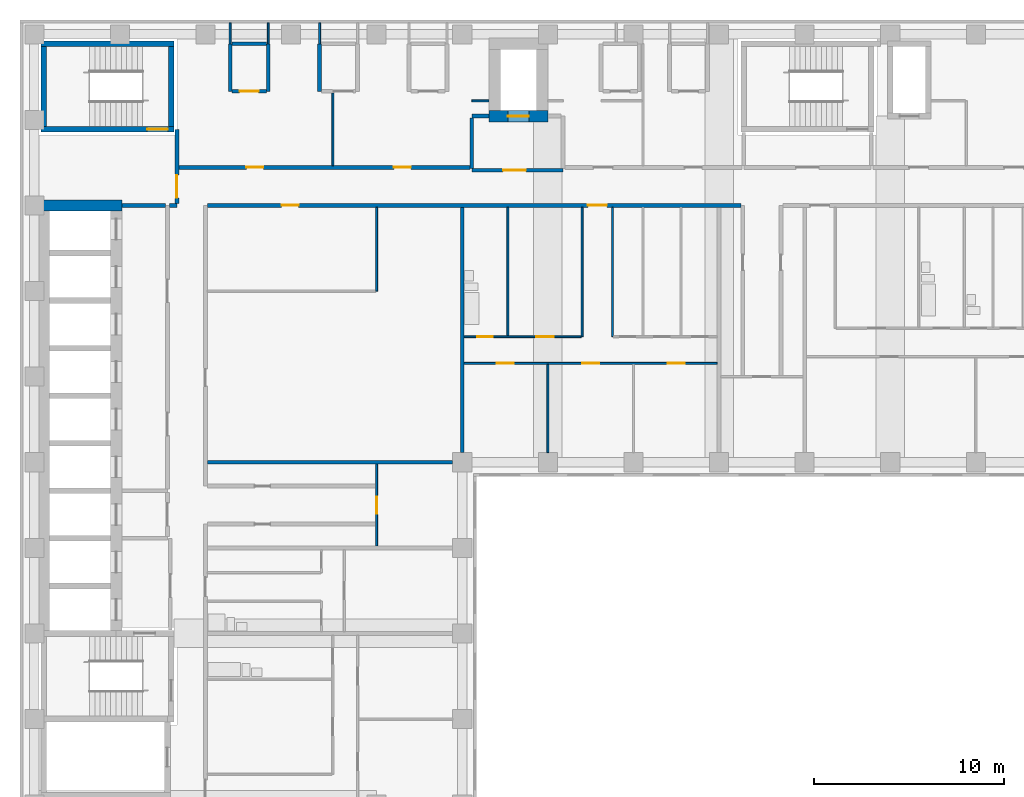
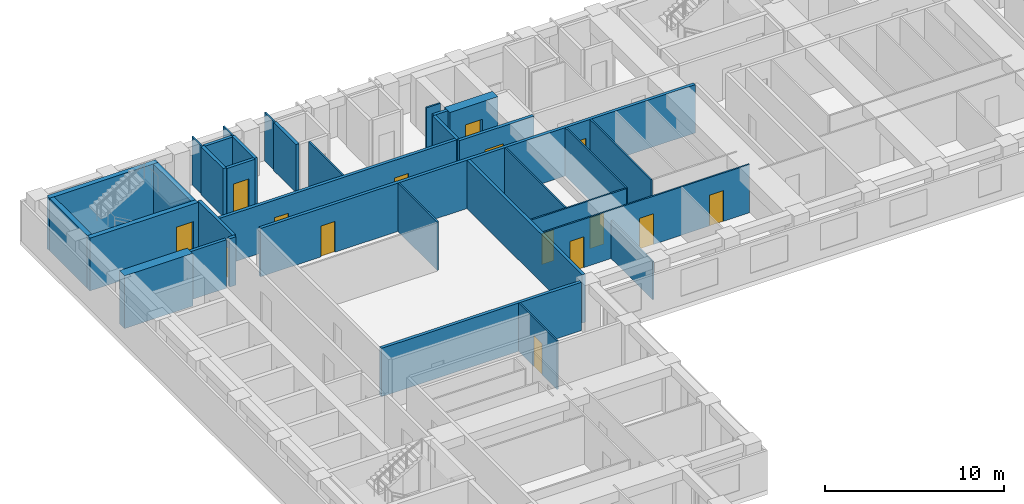
# One storey, part 5 of 11: 34 walls, 15 doors, 15 openings.
"""IFC4 building model written with IfcOpenShell, lengths in metres."""

from ifc_helpers import new_model, si_unit, direction, frame, frame_2d, origin, place, context, subcontext, project, spatial, rectangle, extrude, material, layer, layer_set, type_object, element, fill, save


model = new_model("IFC4")

# Units and contexts
model_context = context("Model", 3, precision=1e-05, world=origin(), true_north=direction((0.0, 1.0)))
body_context = subcontext(model_context, "Body", "Model", "MODEL_VIEW")
ifc_project = project(units=[si_unit("LENGTHUNIT", "METRE"), si_unit("AREAUNIT", "SQUARE_METRE"), si_unit("VOLUMEUNIT", "CUBIC_METRE"), si_unit("PLANEANGLEUNIT", "RADIAN"), si_unit("MASSUNIT", "GRAM", prefix="KILO")], contexts=[model_context])

# Site, building, storey
site_placement = place(None, origin())
site = spatial("IfcSite", under=ifc_project, at=site_placement, CompositionType="ELEMENT")
building_placement = place(site_placement, origin())
building = spatial("IfcBuilding", under=site, at=building_placement, Name="Firuza Court", CompositionType="ELEMENT")
storey_placement = place(building_placement, frame((0.0, 0.0, 134.0)))
storey = spatial("IfcBuildingStorey", under=building, at=storey_placement, Name="L33", CompositionType="ELEMENT", Elevation=134.0)

# Wall
ifc_material_1 = material(Name="Moisture-resistant gypsum board partition")
ifc_layer_1 = layer(ifc_material_1, 0.10009765625)
ifc_layer_set_1 = layer_set([ifc_layer_1], Name="Moisture-resistant gypsum board partition")
wall_type_1 = type_object("IfcWallType", Name="Bathroom partition 100", PredefinedType="PLUMBINGWALL", material=ifc_layer_set_1)
wall_1_placement = place(storey_placement, frame((24.89990234375, 42.64990234375, 0.0), z_axis=(0.0, 0.0, 1.0), x_axis=(0.0, 1.0, 0.0)))
element("IfcWall", 1, at=wall_1_placement, inside=storey, type_object=wall_type_1, Name="Bathroom partition 100 L33", PredefinedType="PLUMBINGWALL", context=body_context, shape_type="SweptSolid", body=[
    extrude(rectangle(XDim=6.75, YDim=0.10009765625, at=frame_2d((3.375, 0.0))), origin(), (0.0, 0.0, 1.0), 3.300048828125),
])

# Wall, opening, door
ifc_material_2 = material(Name="Concrete C60/75", Category="concrete")
ifc_layer_2 = layer(ifc_material_2, 0.300048828125)
ifc_layer_set_2 = layer_set([ifc_layer_2], Name="Concrete C60/75")
wall_type_2 = type_object("IfcWallType", Name="Core wall 300 C60/75", PredefinedType="SHEAR", material=ifc_layer_set_2)
wall_2_placement = place(storey_placement, frame((0.35009765625, 53.5, -0.300048828125), z_axis=(0.0, 0.0, 1.0), x_axis=(1.0, 0.0, 0.0)))
wall_2 = element("IfcWall", 2, at=wall_2_placement, inside=storey, type_object=wall_type_2, Name="Core wall stair L33", PredefinedType="SHEAR", context=body_context, shape_type="SweptSolid", body=[
    extrude(rectangle(XDim=7.0, YDim=0.300048828125, at=frame_2d((3.5, 0.0))), origin(), (0.0, 0.0, 1.0), 3.60009765625),
])
opening_1_placement = place(wall_2_placement, frame((5.580078125, 0.0, 0.300048828125)))
opening_1 = element("IfcOpeningElement", 3, at=opening_1_placement, cuts=wall_2, Name="Opening D33015", PredefinedType="OPENING", context=body_context, shape_type="SweptSolid", body=[
    extrude(rectangle(XDim=1.10009765625, YDim=2.10009765625, at=frame_2d((0.550048828125, 1.050048828125))), frame((0.0, 0.162109375, 0.0), z_axis=(0.0, -1.0, 0.0), x_axis=(1.0, 0.0, 0.0)), (0.0, 0.0, 1.0), 0.323974609375),
])
ifc_material_3 = material(Name="Timber door leaf in hardwood frame", Category="wood")
door_type_1 = type_object("IfcDoorType", Name="Stair door 1100", OperationType="SINGLE_SWING_LEFT", PredefinedType="DOOR", material=ifc_material_3)
door_1_placement = place(opening_1_placement, origin())
door_1 = element("IfcDoor", 4, at=door_1_placement, inside=storey, type_object=door_type_1, Name="Stair door S3", OperationType="SINGLE_SWING_RIGHT", OverallHeight=2.10009765625, OverallWidth=1.10009765625, PredefinedType="DOOR", context=body_context, shape_type="SweptSolid", body=[
    extrude(rectangle(XDim=1.10009765625, YDim=2.10009765625, at=frame_2d((0.550048828125, 1.050048828125))), frame((0.0, 0.02490234375, 0.0), z_axis=(0.0, -1.0, 0.0), x_axis=(1.0, 0.0, 0.0)), (0.0, 0.0, 1.0), 0.050048828125),
])
fill(opening_1, door_1)

# Walls
wall_3_placement = place(storey_placement, frame((0.35009765625, 58.0, -0.300048828125), z_axis=(0.0, 0.0, 1.0), x_axis=(1.0, 0.0, 0.0)))
element("IfcWall", 5, at=wall_3_placement, inside=storey, type_object=wall_type_2, Name="Core wall stair L33", PredefinedType="SHEAR", context=body_context, shape_type="SweptSolid", body=[
    extrude(rectangle(XDim=7.0, YDim=0.300048828125, at=frame_2d((3.5, 0.0))), origin(), (0.0, 0.0, 1.0), 3.60009765625),
])
for number, where, z_axis, x_axis, name in (
    (6, (0.5, 53.64990234375, -0.300048828125), (0.0, 0.0, 1.0), (0.0, 1.0, 0.0), "Core wall stair L33"),
    (7, (7.199951171875, 53.64990234375, -0.300048828125), (0.0, 0.0, 1.0), (0.0, 1.0, 0.0), "Core wall stair L33"),
):
    element("IfcWall", number, at=place(storey_placement, frame(where, z_axis=z_axis, x_axis=x_axis)), inside=storey, type_object=wall_type_2, Name=name, PredefinedType="SHEAR", context=body_context, shape_type="SweptSolid", body=[
        extrude(rectangle(XDim=4.2001953125, YDim=0.300048828125, at=frame_2d((2.10009765625, 0.0))), origin(), (0.0, 0.0, 1.0), 3.60009765625),
    ])
ifc_layer_3 = layer(ifc_material_2, 0.60009765625)
ifc_layer_set_3 = layer_set([ifc_layer_3], Name="Concrete C60/75")
wall_type_3 = type_object("IfcWallType", Name="Core wall 600 C60/75", PredefinedType="SHEAR", material=ifc_layer_set_3)
wall_4_placement = place(storey_placement, frame((0.199951171875, 49.5, -0.300048828125), z_axis=(0.0, 0.0, 1.0), x_axis=(1.0, 0.0, 0.0)))
element("IfcWall", 8, at=wall_4_placement, inside=storey, type_object=wall_type_3, Name="Core wall lift shaft L33", PredefinedType="SHEAR", context=body_context, shape_type="SweptSolid", body=[
    extrude(rectangle(XDim=4.400146484375, YDim=0.60009765625, at=frame_2d((2.2001953125, 0.0))), origin(), (0.0, 0.0, 1.0), 3.60009765625),
])

# Wall, opening, door
wall_5_placement = place(storey_placement, frame((23.89990234375, 54.199951171875, -0.300048828125), z_axis=(0.0, 0.0, 1.0), x_axis=(1.0, 0.0, 0.0)))
wall_5 = element("IfcWall", 9, at=wall_5_placement, inside=storey, type_object=wall_type_3, Name="Core wall lift shaft L33", PredefinedType="SHEAR", context=body_context, shape_type="SweptSolid", body=[
    extrude(rectangle(XDim=3.10009765625, YDim=0.60009765625, at=frame_2d((1.550048828125, 0.0))), origin(), (0.0, 0.0, 1.0), 3.60009765625),
])
opening_2_placement = place(wall_5_placement, frame((1.0, 0.0, 0.300048828125)))
opening_2 = element("IfcOpeningElement", 10, at=opening_2_placement, cuts=wall_5, Name="Opening LD-FL3-33", PredefinedType="OPENING", context=body_context, shape_type="SweptSolid", body=[
    extrude(rectangle(XDim=1.10009765625, YDim=2.10009765625, at=frame_2d((0.550048828125, 1.050048828125))), frame((0.0, 0.31201171875, 0.0), z_axis=(0.0, -1.0, 0.0), x_axis=(1.0, 0.0, 0.0)), (0.0, 0.0, 1.0), 0.6240234375),
])
ifc_material_4 = material(Name="Stainless steel 1.4301 door leaf", Category="steel")
door_type_2 = type_object("IfcDoorType", Name="Lift landing door 1100", OperationType="SLIDING_TO_LEFT", PredefinedType="DOOR", material=ifc_material_4)
door_2_placement = place(opening_2_placement, origin())
door_2 = element("IfcDoor", 11, at=door_2_placement, inside=storey, type_object=door_type_2, Name="Landing door FL3", OperationType="SLIDING_TO_LEFT", OverallHeight=2.10009765625, OverallWidth=1.10009765625, PredefinedType="DOOR", context=body_context, shape_type="SweptSolid", body=[
    extrude(rectangle(XDim=1.10009765625, YDim=2.10009765625, at=frame_2d((0.550048828125, 1.050048828125))), frame((0.0, 0.02490234375, 0.0), z_axis=(0.0, -1.0, 0.0), x_axis=(1.0, 0.0, 0.0)), (0.0, 0.0, 1.0), 0.050048828125),
])
fill(opening_2, door_2)

# Wall, openings, doors
ifc_material_5 = material(Name="Blockwork, plastered both sides", Category="masonry")
ifc_layer_4 = layer(ifc_material_5, 0.199951171875)
ifc_layer_set_4 = layer_set([ifc_layer_4], Name="Blockwork, plastered both sides")
wall_type_4 = type_object("IfcWallType", Name="Corridor wall 200", PredefinedType="PARTITIONING", material=ifc_layer_set_4)
wall_6_placement = place(storey_placement, frame((9.10009765625, 49.5, 0.0), z_axis=(0.0, 0.0, 1.0), x_axis=(1.0, 0.0, 0.0)))
wall_6 = element("IfcWall", 12, at=wall_6_placement, inside=storey, type_object=wall_type_4, Name="Corridor wall 200 L33", PredefinedType="PARTITIONING", context=body_context, shape_type="SweptSolid", body=[
    extrude(rectangle(XDim=28.0498046875, YDim=0.199951171875, at=frame_2d((14.02490234375, 0.0))), origin(), (0.0, 0.0, 1.0), 3.300048828125),
])
opening_3_placement = place(wall_6_placement, frame((20.0, 0.0, 0.0)))
opening_3 = element("IfcOpeningElement", 13, at=opening_3_placement, cuts=wall_6, Name="Opening D33064", PredefinedType="OPENING", context=body_context, shape_type="SweptSolid", body=[
    extrude(rectangle(XDim=1.0, YDim=2.10009765625, at=frame_2d((0.5, 1.050048828125))), frame((0.0, 0.11181640625, 0.0), z_axis=(0.0, -1.0, 0.0), x_axis=(1.0, 0.0, 0.0)), (0.0, 0.0, 1.0), 0.223876953125),
])
opening_4_placement = place(wall_6_placement, frame((3.89990234375, 0.0, 0.0)))
opening_4 = element("IfcOpeningElement", 14, at=opening_4_placement, cuts=wall_6, Name="Opening D33065", PredefinedType="OPENING", context=body_context, shape_type="SweptSolid", body=[
    extrude(rectangle(XDim=0.89990234375, YDim=2.10009765625, at=frame_2d((0.449951171875, 1.050048828125))), frame((0.0, 0.11181640625, 0.0), z_axis=(0.0, -1.0, 0.0), x_axis=(1.0, 0.0, 0.0)), (0.0, 0.0, 1.0), 0.223876953125),
])
ifc_material_6 = material(Name="Timber door leaf in hardwood frame", Category="wood")
door_type_3 = type_object("IfcDoorType", Name="Flat entrance door 1000", OperationType="SINGLE_SWING_LEFT", PredefinedType="DOOR", material=ifc_material_6)
door_3_placement = place(opening_3_placement, origin())
door_3 = element("IfcDoor", 15, at=door_3_placement, inside=storey, type_object=door_type_3, Name="Flat entrance door", OperationType="SINGLE_SWING_LEFT", OverallHeight=2.10009765625, OverallWidth=1.0, PredefinedType="DOOR", context=body_context, shape_type="SweptSolid", body=[
    extrude(rectangle(XDim=1.0, YDim=2.10009765625, at=frame_2d((0.5, 1.050048828125))), frame((0.0, 0.02490234375, 0.0), z_axis=(0.0, -1.0, 0.0), x_axis=(1.0, 0.0, 0.0)), (0.0, 0.0, 1.0), 0.050048828125),
])
fill(opening_3, door_3)
ifc_material_7 = material(Name="Timber door leaf in hardwood frame", Category="wood")
door_type_4 = type_object("IfcDoorType", Name="Room door 900 EI 30", OperationType="SINGLE_SWING_LEFT", PredefinedType="DOOR", material=ifc_material_7)
door_4_placement = place(opening_4_placement, frame((0.89990234375, 0.0, 0.0), z_axis=(0.0, 0.0, 1.0), x_axis=(-1.0, 0.0, 0.0)))
door_4 = element("IfcDoor", 16, at=door_4_placement, inside=storey, type_object=door_type_4, Name="Meeting room door", OperationType="SINGLE_SWING_RIGHT", OverallHeight=2.10009765625, OverallWidth=0.89990234375, PredefinedType="DOOR", context=body_context, shape_type="SweptSolid", body=[
    extrude(rectangle(XDim=0.89990234375, YDim=2.10009765625, at=frame_2d((0.449951171875, 1.050048828125))), frame((0.0, 0.02490234375, 0.0), z_axis=(0.0, -1.0, 0.0), x_axis=(1.0, 0.0, 0.0)), (0.0, 0.0, 1.0), 0.050048828125),
])
fill(opening_4, door_4)

wall_7_placement = place(storey_placement, frame((7.60009765625, 51.5, 0.0), z_axis=(0.0, 0.0, 1.0), x_axis=(1.0, 0.0, 0.0)))
wall_7 = element("IfcWall", 17, at=wall_7_placement, inside=storey, type_object=wall_type_4, Name="Corridor wall 200 L33", PredefinedType="PARTITIONING", context=body_context, shape_type="SweptSolid", body=[
    extrude(rectangle(XDim=15.2998046875, YDim=0.199951171875, at=frame_2d((7.64990234375, 0.0))), origin(), (0.0, 0.0, 1.0), 3.300048828125),
])
opening_5_placement = place(wall_7_placement, frame((3.550048828125, 0.0, 0.0)))
opening_5 = element("IfcOpeningElement", 18, at=opening_5_placement, cuts=wall_7, Name="Opening D33068", PredefinedType="OPENING", context=body_context, shape_type="SweptSolid", body=[
    extrude(rectangle(XDim=0.89990234375, YDim=2.10009765625, at=frame_2d((0.449951171875, 1.050048828125))), frame((0.0, 0.11181640625, 0.0), z_axis=(0.0, -1.0, 0.0), x_axis=(1.0, 0.0, 0.0)), (0.0, 0.0, 1.0), 0.223876953125),
])
opening_6_placement = place(wall_7_placement, frame((11.300048828125, 0.0, 0.0)))
opening_6 = element("IfcOpeningElement", 19, at=opening_6_placement, cuts=wall_7, Name="Opening D33069", PredefinedType="OPENING", context=body_context, shape_type="SweptSolid", body=[
    extrude(rectangle(XDim=0.89990234375, YDim=2.10009765625, at=frame_2d((0.449951171875, 1.050048828125))), frame((0.0, 0.11181640625, 0.0), z_axis=(0.0, -1.0, 0.0), x_axis=(1.0, 0.0, 0.0)), (0.0, 0.0, 1.0), 0.223876953125),
])
door_5_placement = place(opening_5_placement, origin())
door_5 = element("IfcDoor", 20, at=door_5_placement, inside=storey, type_object=door_type_4, Name="Meeting room door", OperationType="SINGLE_SWING_LEFT", OverallHeight=2.10009765625, OverallWidth=0.89990234375, PredefinedType="DOOR", context=body_context, shape_type="SweptSolid", body=[
    extrude(rectangle(XDim=0.89990234375, YDim=2.10009765625, at=frame_2d((0.449951171875, 1.050048828125))), frame((0.0, 0.02490234375, 0.0), z_axis=(0.0, -1.0, 0.0), x_axis=(1.0, 0.0, 0.0)), (0.0, 0.0, 1.0), 0.050048828125),
])
fill(opening_5, door_5)
door_6_placement = place(opening_6_placement, origin())
door_6 = element("IfcDoor", 21, at=door_6_placement, inside=storey, type_object=door_type_4, Name="Meeting room door", OperationType="SINGLE_SWING_LEFT", OverallHeight=2.10009765625, OverallWidth=0.89990234375, PredefinedType="DOOR", context=body_context, shape_type="SweptSolid", body=[
    extrude(rectangle(XDim=0.89990234375, YDim=2.10009765625, at=frame_2d((0.449951171875, 1.050048828125))), frame((0.0, 0.02490234375, 0.0), z_axis=(0.0, -1.0, 0.0), x_axis=(1.0, 0.0, 0.0)), (0.0, 0.0, 1.0), 0.050048828125),
])
fill(opening_6, door_6)

# Wall, opening, door
ifc_material_8 = material(Name="Timber stud partition, plasterboard both sides", Category="wood")
ifc_layer_5 = layer(ifc_material_8, 0.10009765625)
ifc_layer_set_5 = layer_set([ifc_layer_5], Name="Timber stud partition, plasterboard both sides")
wall_type_5 = type_object("IfcWallType", Name="Partition wall 100", PredefinedType="PARTITIONING", material=ifc_layer_set_5)
wall_8_placement = place(storey_placement, frame((18.0, 31.60009765625, 0.0), z_axis=(0.0, 0.0, 1.0), x_axis=(0.0, 1.0, 0.0)))
wall_8 = element("IfcWall", 22, at=wall_8_placement, inside=storey, type_object=wall_type_5, Name="Partition wall 100 L33", PredefinedType="PARTITIONING", context=body_context, shape_type="SweptSolid", body=[
    extrude(rectangle(XDim=4.2998046875, YDim=0.10009765625, at=frame_2d((2.14990234375, 0.0))), origin(), (0.0, 0.0, 1.0), 3.300048828125),
])
opening_7_placement = place(wall_8_placement, frame((1.699951171875, 0.0, 0.0)))
opening_7 = element("IfcOpeningElement", 23, at=opening_7_placement, cuts=wall_8, Name="Opening D33034", PredefinedType="OPENING", context=body_context, shape_type="SweptSolid", body=[
    extrude(rectangle(XDim=0.89990234375, YDim=2.10009765625, at=frame_2d((0.449951171875, 1.050048828125))), frame((0.0, 0.06201171875, 0.0), z_axis=(0.0, -1.0, 0.0), x_axis=(1.0, 0.0, 0.0)), (0.0, 0.0, 1.0), 0.1240234375),
])
ifc_material_9 = material(Name="Timber door leaf in hardwood frame", Category="wood")
door_type_5 = type_object("IfcDoorType", Name="Room door 900", OperationType="SINGLE_SWING_LEFT", PredefinedType="DOOR", material=ifc_material_9)
door_7_placement = place(opening_7_placement, origin())
door_7 = element("IfcDoor", 24, at=door_7_placement, inside=storey, type_object=door_type_5, Name="Residents' lounge door", OperationType="SINGLE_SWING_LEFT", OverallHeight=2.10009765625, OverallWidth=0.89990234375, PredefinedType="DOOR", context=body_context, shape_type="SweptSolid", body=[
    extrude(rectangle(XDim=0.89990234375, YDim=2.10009765625, at=frame_2d((0.449951171875, 1.050048828125))), frame((0.0, 0.02490234375, 0.0), z_axis=(0.0, -1.0, 0.0), x_axis=(1.0, 0.0, 0.0)), (0.0, 0.0, 1.0), 0.050048828125),
])
fill(opening_7, door_7)

# Wall
wall_9_placement = place(storey_placement, frame((27.0, 36.5, 0.0), z_axis=(0.0, 0.0, 1.0), x_axis=(0.0, 1.0, 0.0)))
element("IfcWall", 25, at=wall_9_placement, inside=storey, type_object=wall_type_5, Name="Partition wall 100 L33", PredefinedType="PARTITIONING", context=body_context, shape_type="SweptSolid", body=[
    extrude(rectangle(XDim=4.64990234375, YDim=0.10009765625, at=frame_2d((2.324951171875, 0.0))), origin(), (0.0, 0.0, 1.0), 2.60009765625),
])

# Wall, openings, doors
wall_10_placement = place(storey_placement, frame((22.60009765625, 41.199951171875, 0.0), z_axis=(0.0, 0.0, 1.0), x_axis=(1.0, 0.0, 0.0)))
wall_10 = element("IfcWall", 26, at=wall_10_placement, inside=storey, type_object=wall_type_5, Name="Partition wall 100 L33", PredefinedType="PARTITIONING", context=body_context, shape_type="SweptSolid", body=[
    extrude(rectangle(XDim=13.2998046875, YDim=0.10009765625, at=frame_2d((6.64990234375, 0.0))), origin(), (0.0, 0.0, 1.0), 3.300048828125),
])
opening_8_placement = place(wall_10_placement, frame((1.699951171875, 0.0, 0.0)))
opening_8 = element("IfcOpeningElement", 27, at=opening_8_placement, cuts=wall_10, Name="Opening D33045", PredefinedType="OPENING", context=body_context, shape_type="SweptSolid", body=[
    extrude(rectangle(XDim=0.89990234375, YDim=2.10009765625, at=frame_2d((0.449951171875, 1.050048828125))), frame((0.0, 0.06201171875, 0.0), z_axis=(0.0, -1.0, 0.0), x_axis=(1.0, 0.0, 0.0)), (0.0, 0.0, 1.0), 0.1240234375),
])
opening_9_placement = place(wall_10_placement, frame((6.199951171875, 0.0, 0.0)))
opening_9 = element("IfcOpeningElement", 28, at=opening_9_placement, cuts=wall_10, Name="Opening D33046", PredefinedType="OPENING", context=body_context, shape_type="SweptSolid", body=[
    extrude(rectangle(XDim=0.89990234375, YDim=2.10009765625, at=frame_2d((0.449951171875, 1.050048828125))), frame((0.0, 0.06201171875, 0.0), z_axis=(0.0, -1.0, 0.0), x_axis=(1.0, 0.0, 0.0)), (0.0, 0.0, 1.0), 0.1240234375),
])
opening_10_placement = place(wall_10_placement, frame((10.699951171875, 0.0, 0.0)))
opening_10 = element("IfcOpeningElement", 29, at=opening_10_placement, cuts=wall_10, Name="Opening D33047", PredefinedType="OPENING", context=body_context, shape_type="SweptSolid", body=[
    extrude(rectangle(XDim=0.89990234375, YDim=2.10009765625, at=frame_2d((0.449951171875, 1.050048828125))), frame((0.0, 0.06201171875, 0.0), z_axis=(0.0, -1.0, 0.0), x_axis=(1.0, 0.0, 0.0)), (0.0, 0.0, 1.0), 0.1240234375),
])
door_8_placement = place(opening_8_placement, frame((0.89990234375, 0.0, 0.0), z_axis=(0.0, 0.0, 1.0), x_axis=(-1.0, 0.0, 0.0)))
door_8 = element("IfcDoor", 30, at=door_8_placement, inside=storey, type_object=door_type_5, Name="Bedroom door", OperationType="SINGLE_SWING_RIGHT", OverallHeight=2.10009765625, OverallWidth=0.89990234375, PredefinedType="DOOR", context=body_context, shape_type="SweptSolid", body=[
    extrude(rectangle(XDim=0.89990234375, YDim=2.10009765625, at=frame_2d((0.449951171875, 1.050048828125))), frame((0.0, 0.02490234375, 0.0), z_axis=(0.0, -1.0, 0.0), x_axis=(1.0, 0.0, 0.0)), (0.0, 0.0, 1.0), 0.050048828125),
])
fill(opening_8, door_8)
door_9_placement = place(opening_9_placement, frame((0.89990234375, 0.0, 0.0), z_axis=(0.0, 0.0, 1.0), x_axis=(-1.0, 0.0, 0.0)))
door_9 = element("IfcDoor", 31, at=door_9_placement, inside=storey, type_object=door_type_5, Name="Living room door", OperationType="SINGLE_SWING_RIGHT", OverallHeight=2.10009765625, OverallWidth=0.89990234375, PredefinedType="DOOR", context=body_context, shape_type="SweptSolid", body=[
    extrude(rectangle(XDim=0.89990234375, YDim=2.10009765625, at=frame_2d((0.449951171875, 1.050048828125))), frame((0.0, 0.02490234375, 0.0), z_axis=(0.0, -1.0, 0.0), x_axis=(1.0, 0.0, 0.0)), (0.0, 0.0, 1.0), 0.050048828125),
])
fill(opening_9, door_9)
door_10_placement = place(opening_10_placement, frame((0.89990234375, 0.0, 0.0), z_axis=(0.0, 0.0, 1.0), x_axis=(-1.0, 0.0, 0.0)))
door_10 = element("IfcDoor", 32, at=door_10_placement, inside=storey, type_object=door_type_5, Name="Bedroom door", OperationType="SINGLE_SWING_RIGHT", OverallHeight=2.10009765625, OverallWidth=0.89990234375, PredefinedType="DOOR", context=body_context, shape_type="SweptSolid", body=[
    extrude(rectangle(XDim=0.89990234375, YDim=2.10009765625, at=frame_2d((0.449951171875, 1.050048828125))), frame((0.0, 0.02490234375, 0.0), z_axis=(0.0, -1.0, 0.0), x_axis=(1.0, 0.0, 0.0)), (0.0, 0.0, 1.0), 0.050048828125),
])
fill(opening_10, door_10)

wall_11_placement = place(storey_placement, frame((22.60009765625, 42.60009765625, 0.0), z_axis=(0.0, 0.0, 1.0), x_axis=(1.0, 0.0, 0.0)))
wall_11 = element("IfcWall", 33, at=wall_11_placement, inside=storey, type_object=wall_type_5, Name="Partition wall 100 L33", PredefinedType="PARTITIONING", context=body_context, shape_type="SweptSolid", body=[
    extrude(rectangle(XDim=6.14990234375, YDim=0.10009765625, at=frame_2d((3.074951171875, 0.0))), origin(), (0.0, 0.0, 1.0), 3.300048828125),
])
opening_11_placement = place(wall_11_placement, frame((0.699951171875, 0.0, 0.0)))
opening_11 = element("IfcOpeningElement", 34, at=opening_11_placement, cuts=wall_11, Name="Opening D33052", PredefinedType="OPENING", context=body_context, shape_type="SweptSolid", body=[
    extrude(rectangle(XDim=0.800048828125, YDim=2.10009765625, at=frame_2d((0.39990234375, 1.050048828125))), frame((0.0, 0.06201171875, 0.0), z_axis=(0.0, -1.0, 0.0), x_axis=(1.0, 0.0, 0.0)), (0.0, 0.0, 1.0), 0.1240234375),
])
opening_12_placement = place(wall_11_placement, frame((3.800048828125, 0.0, 0.0)))
opening_12 = element("IfcOpeningElement", 35, at=opening_12_placement, cuts=wall_11, Name="Opening D33053", PredefinedType="OPENING", context=body_context, shape_type="SweptSolid", body=[
    extrude(rectangle(XDim=0.89990234375, YDim=2.10009765625, at=frame_2d((0.449951171875, 1.050048828125))), frame((0.0, 0.06201171875, 0.0), z_axis=(0.0, -1.0, 0.0), x_axis=(1.0, 0.0, 0.0)), (0.0, 0.0, 1.0), 0.1240234375),
])
ifc_material_10 = material(Name="Timber door leaf in hardwood frame", Category="wood")
door_type_6 = type_object("IfcDoorType", Name="Bathroom door 800", OperationType="SINGLE_SWING_LEFT", PredefinedType="DOOR", material=ifc_material_10)
door_11_placement = place(opening_11_placement, origin())
door_11 = element("IfcDoor", 36, at=door_11_placement, inside=storey, type_object=door_type_6, Name="Bathroom door", OperationType="SINGLE_SWING_LEFT", OverallHeight=2.10009765625, OverallWidth=0.800048828125, PredefinedType="DOOR", context=body_context, shape_type="SweptSolid", body=[
    extrude(rectangle(XDim=0.800048828125, YDim=2.10009765625, at=frame_2d((0.39990234375, 1.050048828125))), frame((0.0, 0.02490234375, 0.0), z_axis=(0.0, -1.0, 0.0), x_axis=(1.0, 0.0, 0.0)), (0.0, 0.0, 1.0), 0.050048828125),
])
fill(opening_11, door_11)
door_12_placement = place(opening_12_placement, origin())
door_12 = element("IfcDoor", 37, at=door_12_placement, inside=storey, type_object=door_type_5, Name="Kitchen door", OperationType="SINGLE_SWING_LEFT", OverallHeight=2.10009765625, OverallWidth=0.89990234375, PredefinedType="DOOR", context=body_context, shape_type="SweptSolid", body=[
    extrude(rectangle(XDim=0.89990234375, YDim=2.10009765625, at=frame_2d((0.449951171875, 1.050048828125))), frame((0.0, 0.02490234375, 0.0), z_axis=(0.0, -1.0, 0.0), x_axis=(1.0, 0.0, 0.0)), (0.0, 0.0, 1.0), 0.050048828125),
])
fill(opening_12, door_12)

# Walls
for number, where, z_axis, x_axis, name in (
    (38, (28.800048828125, 42.60009765625, 0.0), (0.0, 0.0, 1.0), (0.0, 1.0, 0.0), "Partition wall 100 L33"),
    (39, (30.39990234375, 42.60009765625, 0.0), (0.0, 0.0, 1.0), (0.0, 1.0, 0.0), "Partition wall 100 L33"),
):
    element("IfcWall", number, at=place(storey_placement, frame(where, z_axis=z_axis, x_axis=x_axis)), inside=storey, type_object=wall_type_5, Name=name, PredefinedType="PARTITIONING", context=body_context, shape_type="SweptSolid", body=[
        extrude(rectangle(XDim=6.7998046875, YDim=0.10009765625, at=frame_2d((3.39990234375, 0.0))), origin(), (0.0, 0.0, 1.0), 3.300048828125),
    ])
wall_12_placement = place(storey_placement, frame((18.0, 45.0, 0.0), z_axis=(0.0, 0.0, 1.0), x_axis=(0.0, 1.0, 0.0)))
element("IfcWall", 40, at=wall_12_placement, inside=storey, type_object=wall_type_5, Name="Partition wall 100 L33", PredefinedType="PARTITIONING", context=body_context, shape_type="SweptSolid", body=[
    extrude(rectangle(XDim=4.39990234375, YDim=0.10009765625, at=frame_2d((2.199951171875, 0.0))), origin(), (0.0, 0.0, 1.0), 3.300048828125),
])
wall_13_placement = place(storey_placement, frame((15.699951171875, 51.60009765625, 0.0), z_axis=(0.0, 0.0, 1.0), x_axis=(0.0, 1.0, 0.0)))
element("IfcWall", 41, at=wall_13_placement, inside=storey, type_object=wall_type_5, Name="Partition wall 100 L33", PredefinedType="PARTITIONING", context=body_context, shape_type="SweptSolid", body=[
    extrude(rectangle(XDim=3.7998046875, YDim=0.10009765625, at=frame_2d((1.89990234375, 0.0))), origin(), (0.0, 0.0, 1.0), 3.300048828125),
])
wall_14_placement = place(storey_placement, frame((23.0, 55.0, 0.0), z_axis=(0.0, 0.0, 1.0), x_axis=(1.0, 0.0, 0.0)))
element("IfcWall", 42, at=wall_14_placement, inside=storey, type_object=wall_type_5, Name="Partition wall 100 L33", PredefinedType="PARTITIONING", context=body_context, shape_type="SweptSolid", body=[
    extrude(rectangle(XDim=0.89990234375, YDim=0.10009765625, at=frame_2d((0.449951171875, 0.0))), origin(), (0.0, 0.0, 1.0), 3.300048828125),
])
for number, where, z_axis, x_axis, name in (
    (43, (10.300048828125, 58.0, 0.0), (0.0, 0.0, 1.0), (0.0, 1.0, 0.0), "Partition wall 100 L33"),
    (44, (12.300048828125, 58.0, 0.0), (0.0, 0.0, 1.0), (0.0, 1.0, 0.0), "Partition wall 100 L33"),
    (45, (15.0, 58.0, 0.0), (0.0, 0.0, 1.0), (0.0, 1.0, 0.0), "Partition wall 100 L33"),
):
    element("IfcWall", number, at=place(storey_placement, frame(where, z_axis=z_axis, x_axis=x_axis)), inside=storey, type_object=wall_type_5, Name=name, PredefinedType="PARTITIONING", context=body_context, shape_type="SweptSolid", body=[
        extrude(rectangle(XDim=1.10009765625, YDim=0.10009765625, at=frame_2d((0.550048828125, 0.0))), origin(), (0.0, 0.0, 1.0), 3.300048828125),
    ])
ifc_layer_6 = layer(ifc_material_5, 0.199951171875)
ifc_layer_set_6 = layer_set([ifc_layer_6], Name="Blockwork, plastered both sides")
wall_type_6 = type_object("IfcWallType", Name="Party wall 200", PredefinedType="PARTITIONING", material=ifc_layer_set_6)
for number, where, z_axis, x_axis, name in (
    (46, (9.10009765625, 36.0, 0.0), (0.0, 0.0, 1.0), (1.0, 0.0, 0.0), "Party wall 200 L33"),
    (47, (22.5, 36.5, 0.0), (0.0, 0.0, 1.0), (0.0, 1.0, 0.0), "Party wall 200 L33"),
):
    element("IfcWall", number, at=place(storey_placement, frame(where, z_axis=z_axis, x_axis=x_axis)), inside=storey, type_object=wall_type_6, Name=name, PredefinedType="PARTITIONING", context=body_context, shape_type="SweptSolid", body=[
        extrude(rectangle(XDim=12.89990234375, YDim=0.199951171875, at=frame_2d((6.449951171875, 0.0))), origin(), (0.0, 0.0, 1.0), 3.300048828125),
    ])
ifc_material_11 = material(Name="Blockwork, fire-rated", Category="masonry")
ifc_layer_7 = layer(ifc_material_11, 0.199951171875)
ifc_layer_set_7 = layer_set([ifc_layer_7], Name="Blockwork, fire-rated")
wall_type_7 = type_object("IfcWallType", Name="Plant room wall 200", PredefinedType="PARTITIONING", material=ifc_layer_set_7)
wall_15_placement = place(storey_placement, frame((10.300048828125, 55.5, 0.0), z_axis=(0.0, 0.0, 1.0), x_axis=(0.0, 1.0, 0.0)))
element("IfcWall", 48, at=wall_15_placement, inside=storey, type_object=wall_type_7, Name="Plant room wall 200 L33", PredefinedType="PARTITIONING", context=body_context, shape_type="SweptSolid", body=[
    extrude(rectangle(XDim=2.5, YDim=0.199951171875, at=frame_2d((1.25, 0.0))), origin(), (0.0, 0.0, 1.0), 3.300048828125),
])

# Wall, opening, door
wall_16_placement = place(storey_placement, frame((10.39990234375, 55.5, 0.0), z_axis=(0.0, 0.0, 1.0), x_axis=(1.0, 0.0, 0.0)))
wall_16 = element("IfcWall", 49, at=wall_16_placement, inside=storey, type_object=wall_type_7, Name="Plant room wall 200 L33", PredefinedType="PARTITIONING", context=body_context, shape_type="SweptSolid", body=[
    extrude(rectangle(XDim=1.800048828125, YDim=0.199951171875, at=frame_2d((0.89990234375, 0.0))), origin(), (0.0, 0.0, 1.0), 3.300048828125),
])
opening_13_placement = place(wall_16_placement, frame((0.39990234375, 0.0, 0.0)))
opening_13 = element("IfcOpeningElement", 50, at=opening_13_placement, cuts=wall_16, Name="Opening D33076", PredefinedType="OPENING", context=body_context, shape_type="SweptSolid", body=[
    extrude(rectangle(XDim=1.0, YDim=2.10009765625, at=frame_2d((0.5, 1.050048828125))), frame((0.0, 0.11181640625, 0.0), z_axis=(0.0, -1.0, 0.0), x_axis=(1.0, 0.0, 0.0)), (0.0, 0.0, 1.0), 0.223876953125),
])
ifc_material_12 = material(Name="Timber door leaf in hardwood frame", Category="wood")
door_type_7 = type_object("IfcDoorType", Name="Riser door 1000", OperationType="SINGLE_SWING_LEFT", PredefinedType="DOOR", material=ifc_material_12)
door_13_placement = place(opening_13_placement, origin())
door_13 = element("IfcDoor", 51, at=door_13_placement, inside=storey, type_object=door_type_7, Name="Comms riser door", OperationType="SINGLE_SWING_LEFT", OverallHeight=2.10009765625, OverallWidth=1.0, PredefinedType="DOOR", context=body_context, shape_type="SweptSolid", body=[
    extrude(rectangle(XDim=1.0, YDim=2.10009765625, at=frame_2d((0.5, 1.050048828125))), frame((0.0, 0.02490234375, 0.0), z_axis=(0.0, -1.0, 0.0), x_axis=(1.0, 0.0, 0.0)), (0.0, 0.0, 1.0), 0.050048828125),
])
fill(opening_13, door_13)

# Walls
for number, where, z_axis, x_axis, name in (
    (52, (12.300048828125, 55.5, 0.0), (0.0, 0.0, 1.0), (0.0, 1.0, 0.0), "Plant room wall 200 L33"),
    (53, (15.0, 55.5, 0.0), (0.0, 0.0, 1.0), (0.0, 1.0, 0.0), "Plant room wall 200 L33"),
):
    element("IfcWall", number, at=place(storey_placement, frame(where, z_axis=z_axis, x_axis=x_axis)), inside=storey, type_object=wall_type_7, Name=name, PredefinedType="PARTITIONING", context=body_context, shape_type="SweptSolid", body=[
        extrude(rectangle(XDim=2.5, YDim=0.199951171875, at=frame_2d((1.25, 0.0))), origin(), (0.0, 0.0, 1.0), 3.300048828125),
    ])
wall_17_placement = place(storey_placement, frame((10.39990234375, 58.0, 0.0), z_axis=(0.0, 0.0, 1.0), x_axis=(1.0, 0.0, 0.0)))
element("IfcWall", 54, at=wall_17_placement, inside=storey, type_object=wall_type_7, Name="Plant room wall 200 L33", PredefinedType="PARTITIONING", context=body_context, shape_type="SweptSolid", body=[
    extrude(rectangle(XDim=1.800048828125, YDim=0.199951171875, at=frame_2d((0.89990234375, 0.0))), origin(), (0.0, 0.0, 1.0), 3.300048828125),
])
ifc_layer_8 = layer(ifc_material_11, 0.199951171875)
ifc_layer_set_8 = layer_set([ifc_layer_8], Name="Blockwork, fire-rated")
wall_type_8 = type_object("IfcWallType", Name="Shaft wall 200", PredefinedType="PARTITIONING", material=ifc_layer_set_8)
wall_18_placement = place(storey_placement, frame((4.60009765625, 49.5, 0.0), z_axis=(0.0, 0.0, 1.0), x_axis=(1.0, 0.0, 0.0)))
element("IfcWall", 55, at=wall_18_placement, inside=storey, type_object=wall_type_8, Name="Shaft wall 200 L33", PredefinedType="PARTITIONING", context=body_context, shape_type="SweptSolid", body=[
    extrude(rectangle(XDim=2.2998046875, YDim=0.199951171875, at=frame_2d((1.14990234375, 0.0))), origin(), (0.0, 0.0, 1.0), 3.300048828125),
])

# Wall, opening, door
wall_19_placement = place(storey_placement, frame((23.0, 51.35009765625, 0.0), z_axis=(0.0, 0.0, 1.0), x_axis=(1.0, 0.0, 0.0)))
wall_19 = element("IfcWall", 56, at=wall_19_placement, inside=storey, type_object=wall_type_8, Name="Shaft wall 200 L33", PredefinedType="PARTITIONING", context=body_context, shape_type="SweptSolid", body=[
    extrude(rectangle(XDim=4.800048828125, YDim=0.199951171875, at=frame_2d((2.39990234375, 0.0))), origin(), (0.0, 0.0, 1.0), 3.300048828125),
])
opening_14_placement = place(wall_19_placement, frame((1.64990234375, 0.0, 0.0)))
opening_14 = element("IfcOpeningElement", 57, at=opening_14_placement, cuts=wall_19, Name="Opening D33003", PredefinedType="OPENING", context=body_context, shape_type="SweptSolid", body=[
    extrude(rectangle(XDim=1.199951171875, YDim=2.10009765625, at=frame_2d((0.60009765625, 1.050048828125))), frame((0.0, 0.11181640625, 0.0), z_axis=(0.0, -1.0, 0.0), x_axis=(1.0, 0.0, 0.0)), (0.0, 0.0, 1.0), 0.223876953125),
])
ifc_material_13 = material(Name="Timber door leaf in hardwood frame", Category="wood")
door_type_8 = type_object("IfcDoorType", Name="Lobby door 1200", OperationType="SINGLE_SWING_LEFT", PredefinedType="DOOR", material=ifc_material_13)
door_14_placement = place(opening_14_placement, origin())
door_14 = element("IfcDoor", 58, at=door_14_placement, inside=storey, type_object=door_type_8, Name="Fire-fighting lobby door", OperationType="SINGLE_SWING_LEFT", OverallHeight=2.10009765625, OverallWidth=1.199951171875, PredefinedType="DOOR", context=body_context, shape_type="SweptSolid", body=[
    extrude(rectangle(XDim=1.199951171875, YDim=2.10009765625, at=frame_2d((0.60009765625, 1.050048828125))), frame((0.0, 0.02490234375, 0.0), z_axis=(0.0, -1.0, 0.0), x_axis=(1.0, 0.0, 0.0)), (0.0, 0.0, 1.0), 0.050048828125),
])
fill(opening_14, door_14)

# Walls
wall_20_placement = place(storey_placement, frame((23.0, 54.199951171875, 0.0), z_axis=(0.0, 0.0, 1.0), x_axis=(1.0, 0.0, 0.0)))
element("IfcWall", 59, at=wall_20_placement, inside=storey, type_object=wall_type_8, Name="Shaft wall 200 L33", PredefinedType="PARTITIONING", context=body_context, shape_type="SweptSolid", body=[
    extrude(rectangle(XDim=0.89990234375, YDim=0.199951171875, at=frame_2d((0.449951171875, 0.0))), origin(), (0.0, 0.0, 1.0), 3.300048828125),
])
wall_21_placement = place(storey_placement, frame((23.0, 51.449951171875, 0.0), z_axis=(0.0, 0.0, 1.0), x_axis=(0.0, 1.0, 0.0)))
element("IfcWall", 60, at=wall_21_placement, inside=storey, type_object=wall_type_8, Name="Shaft wall 200 L33", PredefinedType="PARTITIONING", context=body_context, shape_type="SweptSolid", body=[
    extrude(rectangle(XDim=2.650146484375, YDim=0.199951171875, at=frame_2d((1.3251953125, 0.0))), origin(), (0.0, 0.0, 1.0), 3.300048828125),
])
wall_22_placement = place(storey_placement, frame((7.10009765625, 49.5, 0.0), z_axis=(0.0, 0.0, 1.0), x_axis=(1.0, 0.0, 0.0)))
element("IfcWall", 61, at=wall_22_placement, inside=storey, type_object=wall_type_8, Name="Shaft wall 200 L33", PredefinedType="PARTITIONING", context=body_context, shape_type="SweptSolid", body=[
    extrude(rectangle(XDim=0.39990234375, YDim=0.199951171875, at=frame_2d((0.199951171875, 0.0))), origin(), (0.0, 0.0, 1.0), 3.300048828125),
])

# Wall, opening, door
wall_23_placement = place(storey_placement, frame((7.5, 49.60009765625, 0.0), z_axis=(0.0, 0.0, 1.0), x_axis=(0.0, 1.0, 0.0)))
wall_23 = element("IfcWall", 62, at=wall_23_placement, inside=storey, type_object=wall_type_8, Name="Shaft wall 200 L33", PredefinedType="PARTITIONING", context=body_context, shape_type="SweptSolid", body=[
    extrude(rectangle(XDim=3.89990234375, YDim=0.199951171875, at=frame_2d((1.949951171875, 0.0))), origin(), (0.0, 0.0, 1.0), 3.300048828125),
])
opening_15_placement = place(wall_23_placement, frame((0.300048828125, 0.0, 0.0)))
opening_15 = element("IfcOpeningElement", 63, at=opening_15_placement, cuts=wall_23, Name="Opening D33001", PredefinedType="OPENING", context=body_context, shape_type="SweptSolid", body=[
    extrude(rectangle(XDim=1.199951171875, YDim=2.10009765625, at=frame_2d((0.60009765625, 1.050048828125))), frame((0.0, 0.11181640625, 0.0), z_axis=(0.0, -1.0, 0.0), x_axis=(1.0, 0.0, 0.0)), (0.0, 0.0, 1.0), 0.223876953125),
])
door_15_placement = place(opening_15_placement, origin())
door_15 = element("IfcDoor", 64, at=door_15_placement, inside=storey, type_object=door_type_8, Name="Lobby door", OperationType="SINGLE_SWING_LEFT", OverallHeight=2.10009765625, OverallWidth=1.199951171875, PredefinedType="DOOR", context=body_context, shape_type="SweptSolid", body=[
    extrude(rectangle(XDim=1.199951171875, YDim=2.10009765625, at=frame_2d((0.60009765625, 1.050048828125))), frame((0.0, 0.02490234375, 0.0), z_axis=(0.0, -1.0, 0.0), x_axis=(1.0, 0.0, 0.0)), (0.0, 0.0, 1.0), 0.050048828125),
])
fill(opening_15, door_15)

save(model, "model.ifc")
